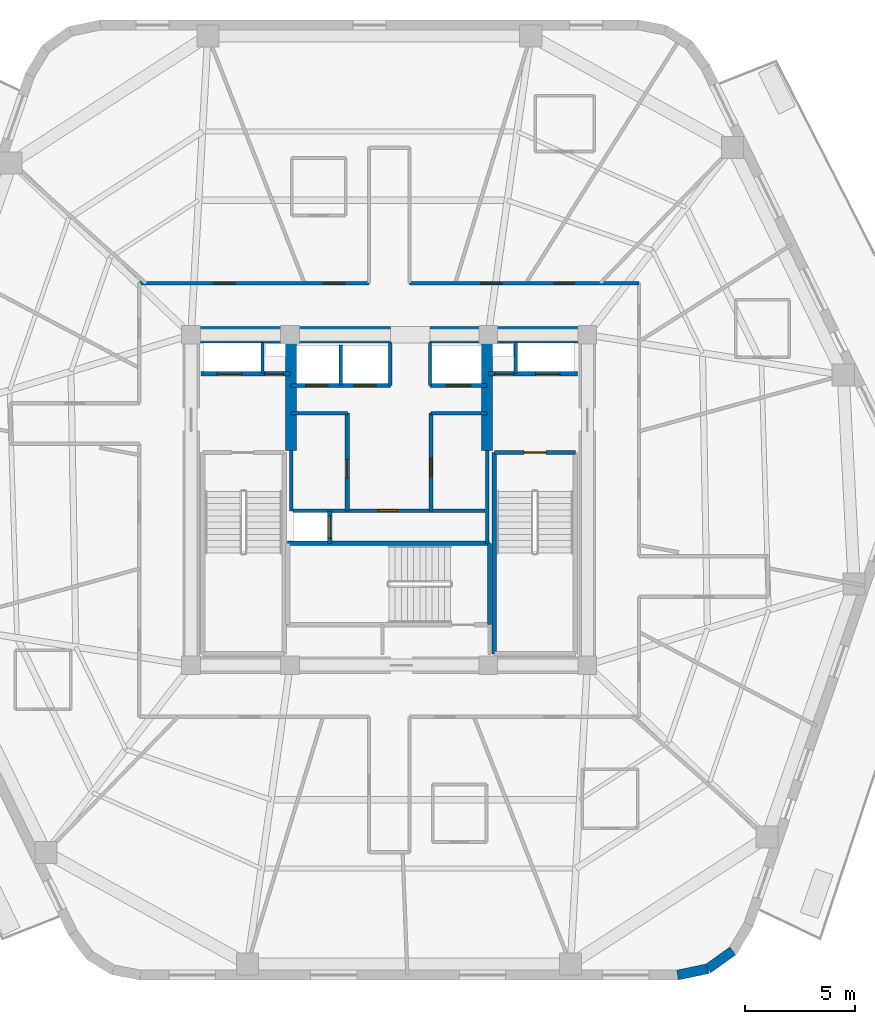
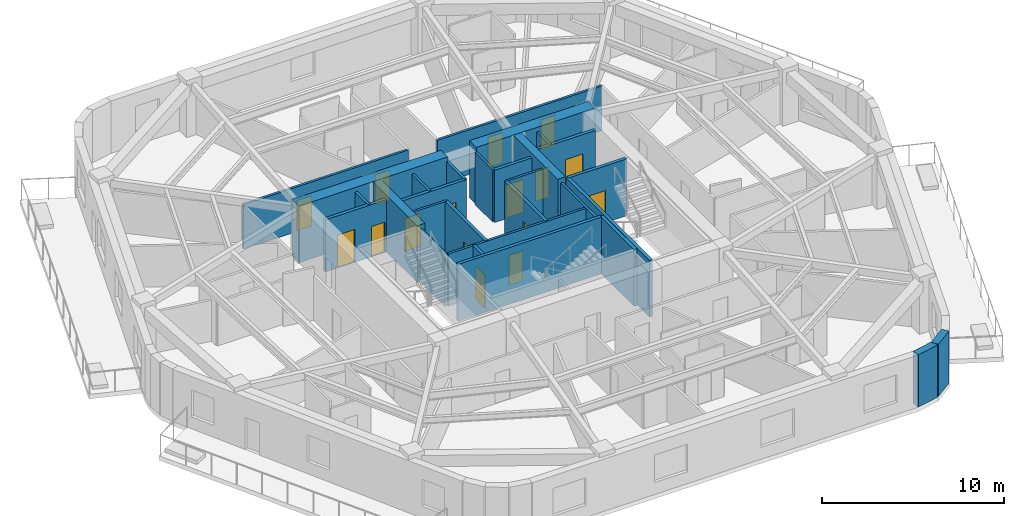
# One storey, part 4 of 9: 29 walls, 16 doors, 16 openings.
"""IFC4 building model written with IfcOpenShell, lengths in metres."""

from ifc_helpers import new_model, si_unit, direction, frame, frame_2d, origin, place, context, subcontext, project, spatial, rectangle, extrude, material, layer, layer_set, type_object, element, fill, save


model = new_model("IFC4")

# Units and contexts
model_context = context("Model", 3, precision=1e-05, world=origin(), true_north=direction((0.0, 1.0)))
body_context = subcontext(model_context, "Body", "Model", "MODEL_VIEW")
ifc_project = project(units=[si_unit("LENGTHUNIT", "METRE"), si_unit("AREAUNIT", "SQUARE_METRE"), si_unit("VOLUMEUNIT", "CUBIC_METRE"), si_unit("PLANEANGLEUNIT", "RADIAN"), si_unit("MASSUNIT", "GRAM", prefix="KILO")], contexts=[model_context])

# Site, building, storey
site_placement = place(None, origin())
site = spatial("IfcSite", under=ifc_project, at=site_placement, CompositionType="ELEMENT")
building_placement = place(site_placement, origin())
building = spatial("IfcBuilding", under=site, at=building_placement, Name="Kilnhurst Terrace Hotel", CompositionType="ELEMENT")
storey_placement = place(building_placement, frame((0.0, 0.0, 236.89990234375)))
storey = spatial("IfcBuildingStorey", under=building, at=storey_placement, Name="L59", CompositionType="ELEMENT", Elevation=236.89990234375)

# Walls
ifc_material_1 = material(Name="Precast concrete C40/50", Category="concrete")
ifc_layer_1 = layer(ifc_material_1, 0.449951171875, Name="Precast concrete C40/50")
ifc_layer_set_1 = layer_set([ifc_layer_1], Name="Precast concrete C40/50")
wall_type_1 = type_object("IfcWallType", Name="WL-BRK-450", PredefinedType="SOLIDWALL", material=ifc_layer_set_1)
wall_1_placement = place(storey_placement, frame((13.1015625, -21.574951171875, 0.0), z_axis=(0.0, 0.0, 1.0), x_axis=(0.978757421505, 0.205021730188, 0.0)))
element("IfcWall", 1, at=wall_1_placement, inside=storey, type_object=wall_type_1, Name="L59 Rounded Corner Brick Wall C2.1", PredefinedType="SOLIDWALL", context=body_context, shape_type="SweptSolid", body=[
    extrude(rectangle(XDim=1.40625, YDim=0.449951171875, at=frame_2d((0.703125, 0.0))), origin(), (0.0, 0.0, 1.0), 3.5),
])
wall_2_placement = place(storey_placement, frame((14.47802734375, -21.28662109375, 0.0), z_axis=(0.0, 0.0, 1.0), x_axis=(0.813888518617, 0.58102106611, 0.0)))
element("IfcWall", 2, at=wall_2_placement, inside=storey, type_object=wall_type_1, Name="L59 Rounded Corner Brick Wall C2.2", PredefinedType="SOLIDWALL", context=body_context, shape_type="SweptSolid", body=[
    extrude(rectangle(XDim=1.3828125, YDim=0.449951171875, at=frame_2d((0.69140625, 0.0))), origin(), (0.0, 0.0, 1.0), 3.5),
])

# Wall, openings, doors
ifc_material_2 = material(Name="Acoustic Double-Gypsum Corridor Partition Assembly")
ifc_layer_2 = layer(ifc_material_2, 0.14990234375, Name="Acoustic Double-Gypsum Corridor Partition Assembly")
ifc_layer_set_2 = layer_set([ifc_layer_2], Name="Acoustic Double-Gypsum Corridor Partition Assembly")
wall_type_2 = type_object("IfcWallType", Name="WL-COR-150", PredefinedType="PARTITIONING", material=ifc_layer_set_2)
wall_3_placement = place(storey_placement, frame((-11.35009765625, 9.85009765625, 0.0), z_axis=(0.0, 0.0, 1.0), x_axis=(1.0, 0.0, 0.0)))
wall_3 = element("IfcWall", 3, at=wall_3_placement, inside=storey, type_object=wall_type_2, Name="L59 Interior Wall WL-L59-COR-06", PredefinedType="PARTITIONING", context=body_context, shape_type="SweptSolid", body=[
    extrude(rectangle(XDim=10.43017578125, YDim=0.14990234375, at=frame_2d((5.215087890625, 0.0))), origin(), (0.0, 0.0, 1.0), 2.989990234375),
])
opening_1_placement = place(wall_3_placement, frame((8.362060546875, 0.0, 0.0)))
opening_1 = element("IfcOpeningElement", 4, at=opening_1_placement, cuts=wall_3, Name="Opening D-60B", PredefinedType="OPENING", context=body_context, shape_type="SweptSolid", body=[
    extrude(rectangle(XDim=0.949951171875, YDim=2.030029296875, at=frame_2d((0.47509765625, 1.01513671875))), frame((0.0, 0.0849609375, 0.0), z_axis=(0.0, -1.0, 0.0), x_axis=(1.0, 0.0, 0.0)), (0.0, 0.0, 1.0), 0.169921875),
])
opening_2_placement = place(wall_3_placement, frame((3.39599609375, 0.0, 0.0)))
opening_2 = element("IfcOpeningElement", 5, at=opening_2_placement, cuts=wall_3, Name="Opening D-60B", PredefinedType="OPENING", context=body_context, shape_type="SweptSolid", body=[
    extrude(rectangle(XDim=0.949951171875, YDim=2.030029296875, at=frame_2d((0.47509765625, 1.01513671875))), frame((0.0, 0.0849609375, 0.0), z_axis=(0.0, -1.0, 0.0), x_axis=(1.0, 0.0, 0.0)), (0.0, 0.0, 1.0), 0.169921875),
])
ifc_material_3 = material(Name="Acoustic Walnut Veneer Solid-Core Fire Door")
door_type_1 = type_object("IfcDoorType", Name="DR-FD60-950", OperationType="NOTDEFINED", PredefinedType="DOOR", material=ifc_material_3)
door_1_placement = place(opening_1_placement, origin())
door_1 = element("IfcDoor", 6, at=door_1_placement, inside=storey, type_object=door_type_1, Name="L59 Executive Suite Entry Door 5", OperationType="SINGLE_SWING_LEFT", OverallHeight=2.030029296875, OverallWidth=0.949951171875, PredefinedType="DOOR", context=body_context, shape_type="SweptSolid", body=[
    extrude(rectangle(XDim=0.949951171875, YDim=2.030029296875, at=frame_2d((0.47509765625, 1.01513671875))), frame((0.0, 0.02490234375, 0.0), z_axis=(0.0, -1.0, 0.0), x_axis=(1.0, 0.0, 0.0)), (0.0, 0.0, 1.0), 0.050048828125),
])
fill(opening_1, door_1)
door_2_placement = place(opening_2_placement, origin())
door_2 = element("IfcDoor", 7, at=door_2_placement, inside=storey, type_object=door_type_1, Name="L59 Club Lounge Door", OperationType="SINGLE_SWING_RIGHT", OverallHeight=2.030029296875, OverallWidth=0.949951171875, PredefinedType="DOOR", context=body_context, shape_type="SweptSolid", body=[
    extrude(rectangle(XDim=0.949951171875, YDim=2.030029296875, at=frame_2d((0.47509765625, 1.01513671875))), frame((0.0, 0.02490234375, 0.0), z_axis=(0.0, -1.0, 0.0), x_axis=(1.0, 0.0, 0.0)), (0.0, 0.0, 1.0), 0.050048828125),
])
fill(opening_2, door_2)

wall_4_placement = place(storey_placement, frame((0.919921875, 9.85009765625, 0.0), z_axis=(0.0, 0.0, 1.0), x_axis=(1.0, 0.0, 0.0)))
wall_4 = element("IfcWall", 8, at=wall_4_placement, inside=storey, type_object=wall_type_2, Name="L59 Interior Wall WL-L59-COR-10", PredefinedType="PARTITIONING", context=body_context, shape_type="SweptSolid", body=[
    extrude(rectangle(XDim=10.43017578125, YDim=0.14990234375, at=frame_2d((5.215087890625, 0.0))), origin(), (0.0, 0.0, 1.0), 2.989990234375),
])
opening_3_placement = place(wall_4_placement, frame((6.576904296875, 0.0, 0.0)))
opening_3 = element("IfcOpeningElement", 9, at=opening_3_placement, cuts=wall_4, Name="Opening D-60C", PredefinedType="OPENING", context=body_context, shape_type="SweptSolid", body=[
    extrude(rectangle(XDim=0.89990234375, YDim=2.030029296875, at=frame_2d((0.449951171875, 1.01513671875))), frame((0.0, 0.0849609375, 0.0), z_axis=(0.0, -1.0, 0.0), x_axis=(1.0, 0.0, 0.0)), (0.0, 0.0, 1.0), 0.169921875),
])
opening_4_placement = place(wall_4_placement, frame((3.23388671875, 0.0, 0.0)))
opening_4 = element("IfcOpeningElement", 10, at=opening_4_placement, cuts=wall_4, Name="Opening D-60B", PredefinedType="OPENING", context=body_context, shape_type="SweptSolid", body=[
    extrude(rectangle(XDim=0.949951171875, YDim=2.030029296875, at=frame_2d((0.47509765625, 1.01513671875))), frame((0.0, 0.0849609375, 0.0), z_axis=(0.0, -1.0, 0.0), x_axis=(1.0, 0.0, 0.0)), (0.0, 0.0, 1.0), 0.169921875),
])
ifc_material_4 = material(Name="Painted Solid-Core Service Fire Door")
door_type_2 = type_object("IfcDoorType", Name="DR-FD60-900", OperationType="NOTDEFINED", PredefinedType="DOOR", material=ifc_material_4)
door_3_placement = place(opening_3_placement, origin())
door_3 = element("IfcDoor", 11, at=door_3_placement, inside=storey, type_object=door_type_2, Name="L59 Executive Work Office Door 3", OperationType="SINGLE_SWING_LEFT", OverallHeight=2.030029296875, OverallWidth=0.89990234375, PredefinedType="DOOR", context=body_context, shape_type="SweptSolid", body=[
    extrude(rectangle(XDim=0.89990234375, YDim=2.030029296875, at=frame_2d((0.449951171875, 1.01513671875))), frame((0.0, 0.02490234375, 0.0), z_axis=(0.0, -1.0, 0.0), x_axis=(1.0, 0.0, 0.0)), (0.0, 0.0, 1.0), 0.050048828125),
])
fill(opening_3, door_3)
door_4_placement = place(opening_4_placement, origin())
door_4 = element("IfcDoor", 12, at=door_4_placement, inside=storey, type_object=door_type_1, Name="L59 Guest Room Entry Door 4", OperationType="SINGLE_SWING_RIGHT", OverallHeight=2.030029296875, OverallWidth=0.949951171875, PredefinedType="DOOR", context=body_context, shape_type="SweptSolid", body=[
    extrude(rectangle(XDim=0.949951171875, YDim=2.030029296875, at=frame_2d((0.47509765625, 1.01513671875))), frame((0.0, 0.02490234375, 0.0), z_axis=(0.0, -1.0, 0.0), x_axis=(1.0, 0.0, 0.0)), (0.0, 0.0, 1.0), 0.050048828125),
])
fill(opening_4, door_4)

# Walls
ifc_material_5 = material(Name="Concrete C60/75", Category="concrete")
ifc_layer_3 = layer(ifc_material_5, 0.75, Name="Concrete C60/75")
ifc_layer_set_3 = layer_set([ifc_layer_3], Name="Concrete C60/75")
wall_type_3 = type_object("IfcWallType", Name="WL-CORE-750", PredefinedType="SHEAR", material=ifc_layer_set_3)
wall_5_placement = place(storey_placement, frame((-9.375, 7.5, 0.0), z_axis=(0.0, 0.0, 1.0), x_axis=(1.0, 0.0, 0.0)))
element("IfcWall", 13, at=wall_5_placement, inside=storey, type_object=wall_type_3, Name="L59 Core North West Shear Wall", PredefinedType="SHEAR", context=body_context, shape_type="SweptSolid", body=[
    extrude(rectangle(XDim=9.425048828125, YDim=0.75, at=frame_2d((4.71240234375, 0.0))), origin(), (0.0, 0.0, 1.0), 3.800048828125),
])
wall_6_placement = place(storey_placement, frame((1.85009765625, 7.5, 0.0), z_axis=(0.0, 0.0, 1.0), x_axis=(1.0, 0.0, 0.0)))
element("IfcWall", 14, at=wall_6_placement, inside=storey, type_object=wall_type_3, Name="L59 Core North East Shear Wall", PredefinedType="SHEAR", context=body_context, shape_type="SweptSolid", body=[
    extrude(rectangle(XDim=7.52490234375, YDim=0.75, at=frame_2d((3.762451171875, 0.0))), origin(), (0.0, 0.0, 1.0), 3.800048828125),
])
ifc_layer_4 = layer(ifc_material_5, 0.5, Name="Concrete C60/75")
ifc_layer_set_4 = layer_set([ifc_layer_4], Name="Concrete C60/75")
wall_type_4 = type_object("IfcWallType", Name="WL-CORE-WEB-500", PredefinedType="SHEAR", material=ifc_layer_set_4)
for number, where, z_axis, x_axis, name in (
    (15, (-4.449951171875, 2.25, 0.0), (0.0, 0.0, 1.0), (0.0, 1.0, 0.0), "L59 Core Internal West Shear Web"),
    (16, (4.449951171875, 2.25, 0.0), (0.0, 0.0, 1.0), (0.0, 1.0, 0.0), "L59 Core Internal East Shear Web"),
):
    element("IfcWall", number, at=place(storey_placement, frame(where, z_axis=z_axis, x_axis=x_axis)), inside=storey, type_object=wall_type_4, Name=name, PredefinedType="SHEAR", context=body_context, shape_type="SweptSolid", body=[
        extrude(rectangle(XDim=4.875, YDim=0.5, at=frame_2d((2.4375, 0.0))), origin(), (0.0, 0.0, 1.0), 3.800048828125),
    ])
ifc_material_6 = material(Name="Fire-Rated Gypsum Shaftliner Assembly")
ifc_layer_5 = layer(ifc_material_6, 0.14990234375, Name="Fire-Rated Gypsum Shaftliner Assembly")
ifc_layer_set_5 = layer_set([ifc_layer_5], Name="Fire-Rated Gypsum Shaftliner Assembly")
wall_type_5 = type_object("IfcWallType", Name="WL-SHAFT-150", PredefinedType="PARTITIONING", material=ifc_layer_set_5)
for number, where, z_axis, x_axis, name in (
    (17, (-5.75, 5.739990234375, 0.0), (0.0, 0.0, 1.0), (0.0, 1.0, 0.0), "L59 Interior Wall WL-L59-RIS1-DIV"),
    (18, (5.75, 5.739990234375, 0.0), (0.0, 0.0, 1.0), (0.0, 1.0, 0.0), "L59 Interior Wall WL-L59-RIS2-DIV"),
):
    element("IfcWall", number, at=place(storey_placement, frame(where, z_axis=z_axis, x_axis=x_axis)), inside=storey, type_object=wall_type_5, Name=name, PredefinedType="PARTITIONING", context=body_context, shape_type="SweptSolid", body=[
        extrude(rectangle(XDim=1.409912109375, YDim=0.14990234375, at=frame_2d((0.705078125, 0.0))), origin(), (0.0, 0.0, 1.0), 3.5),
    ])
wall_7_placement = place(storey_placement, frame((-2.199951171875, 5.199951171875, 0.0), z_axis=(0.0, 0.0, 1.0), x_axis=(0.0, 1.0, 0.0)))
element("IfcWall", 19, at=wall_7_placement, inside=storey, type_object=wall_type_5, Name="L59 Interior Wall WL-L59-HR-DIV1", PredefinedType="PARTITIONING", context=body_context, shape_type="SweptSolid", body=[
    extrude(rectangle(XDim=1.85009765625, YDim=0.14990234375, at=frame_2d((0.925048828125, 0.0))), origin(), (0.0, 0.0, 1.0), 3.5),
])
for number, where, z_axis, x_axis, name in (
    (20, (0.050048828125, 5.199951171875, 0.0), (0.0, 0.0, 1.0), (0.0, 1.0, 0.0), "L59 Interior Wall WL-L59-HR-PORTAL-W"),
    (21, (1.85009765625, 5.199951171875, 0.0), (0.0, 0.0, 1.0), (0.0, 1.0, 0.0), "L59 Interior Wall WL-L59-HR-PORTAL-E"),
):
    element("IfcWall", number, at=place(storey_placement, frame(where, z_axis=z_axis, x_axis=x_axis)), inside=storey, type_object=wall_type_5, Name=name, PredefinedType="PARTITIONING", context=body_context, shape_type="SweptSolid", body=[
        extrude(rectangle(XDim=1.949951171875, YDim=0.14990234375, at=frame_2d((0.97509765625, 0.0))), origin(), (0.0, 0.0, 1.0), 3.5),
    ])
wall_8_placement = place(storey_placement, frame((-4.449951171875, -0.5, 0.0), z_axis=(0.0, 0.0, 1.0), x_axis=(0.0, 1.0, 0.0)))
element("IfcWall", 22, at=wall_8_placement, inside=storey, type_object=wall_type_5, Name="L59 Interior Wall WL-L59-XLOB-W", PredefinedType="PARTITIONING", context=body_context, shape_type="SweptSolid", body=[
    extrude(rectangle(XDim=2.75, YDim=0.14990234375, at=frame_2d((1.375, 0.0))), origin(), (0.0, 0.0, 1.0), 3.5),
])
wall_9_placement = place(storey_placement, frame((4.449951171875, -1.971923828125, 0.0), z_axis=(0.0, 0.0, 1.0), x_axis=(0.0, 1.0, 0.0)))
element("IfcWall", 23, at=wall_9_placement, inside=storey, type_object=wall_type_5, Name="L59 Interior Wall WL-L59-XLOB-E", PredefinedType="PARTITIONING", context=body_context, shape_type="SweptSolid", body=[
    extrude(rectangle(XDim=4.221923828125, YDim=0.14990234375, at=frame_2d((2.11083984375, 0.0))), origin(), (0.0, 0.0, 1.0), 3.5),
])
for number, where, z_axis, x_axis, name in (
    (24, (-4.449951171875, 3.93994140625, 0.0), (0.0, 0.0, 1.0), (1.0, 0.0, 0.0), "L59 Interior Wall WL-L59-LR-NORTH"),
    (25, (1.89990234375, 3.93994140625, 0.0), (0.0, 0.0, 1.0), (1.0, 0.0, 0.0), "L59 Interior Wall WL-L59-MR-NORTH"),
):
    element("IfcWall", number, at=place(storey_placement, frame(where, z_axis=z_axis, x_axis=x_axis)), inside=storey, type_object=wall_type_5, Name=name, PredefinedType="PARTITIONING", context=body_context, shape_type="SweptSolid", body=[
        extrude(rectangle(XDim=2.550048828125, YDim=0.14990234375, at=frame_2d((1.27490234375, 0.0))), origin(), (0.0, 0.0, 1.0), 3.5),
    ])

# Wall, opening, door
wall_10_placement = place(storey_placement, frame((-4.360107421875, -0.489990234375, 0.0), z_axis=(0.0, 0.0, 1.0), x_axis=(1.0, 0.0, 0.0)))
wall_10 = element("IfcWall", 26, at=wall_10_placement, inside=storey, type_object=wall_type_5, Name="L59 Interior Wall WL-L59-BOH-N", PredefinedType="PARTITIONING", context=body_context, shape_type="SweptSolid", body=[
    extrude(rectangle(XDim=8.72021484375, YDim=0.14990234375, at=frame_2d((4.360107421875, 0.0))), origin(), (0.0, 0.0, 1.0), 3.5),
])
opening_5_placement = place(wall_10_placement, frame((3.860107421875, 0.0, 0.0)))
opening_5 = element("IfcOpeningElement", 27, at=opening_5_placement, cuts=wall_10, Name="Opening D-60C", PredefinedType="OPENING", context=body_context, shape_type="SweptSolid", body=[
    extrude(rectangle(XDim=0.89990234375, YDim=2.030029296875, at=frame_2d((0.449951171875, 1.01513671875))), frame((0.0, 0.0849609375, 0.0), z_axis=(0.0, -1.0, 0.0), x_axis=(1.0, 0.0, 0.0)), (0.0, 0.0, 1.0), 0.169921875),
])
door_5_placement = place(opening_5_placement, origin())
door_5 = element("IfcDoor", 28, at=door_5_placement, inside=storey, type_object=door_type_2, Name="L59 Housekeeping Laundry Door", OperationType="SINGLE_SWING_LEFT", OverallHeight=2.030029296875, OverallWidth=0.89990234375, PredefinedType="DOOR", context=body_context, shape_type="SweptSolid", body=[
    extrude(rectangle(XDim=0.89990234375, YDim=2.030029296875, at=frame_2d((0.449951171875, 1.01513671875))), frame((0.0, 0.02490234375, 0.0), z_axis=(0.0, -1.0, 0.0), x_axis=(1.0, 0.0, 0.0)), (0.0, 0.0, 1.0), 0.050048828125),
])
fill(opening_5, door_5)

# Wall, openings, doors
ifc_material_7 = material(Name="Autoclaved Aerated Concrete C30/37 and Gypsum Shaft Assembly", Category="concrete")
ifc_layer_6 = layer(ifc_material_7, 0.199951171875, Name="Autoclaved Aerated Concrete C30/37 and Gypsum Shaft Assembly")
ifc_layer_set_6 = layer_set([ifc_layer_6], Name="Autoclaved Aerated Concrete C30/37 and Gypsum Shaft Assembly")
wall_type_6 = type_object("IfcWallType", Name="WL-SHAFT-200", PredefinedType="PARTITIONING", material=ifc_layer_set_6)
wall_11_placement = place(storey_placement, frame((-8.550048828125, 5.739990234375, 0.0), z_axis=(0.0, 0.0, 1.0), x_axis=(1.0, 0.0, 0.0)))
wall_11 = element("IfcWall", 29, at=wall_11_placement, inside=storey, type_object=wall_type_6, Name="L59 Interior Wall WL-L59-FSAE1-S", PredefinedType="PARTITIONING", context=body_context, shape_type="SweptSolid", body=[
    extrude(rectangle(XDim=4.050048828125, YDim=0.199951171875, at=frame_2d((2.02490234375, 0.0))), origin(), (0.0, 0.0, 1.0), 3.5),
])
opening_6_placement = place(wall_11_placement, frame((0.75, 0.0, 0.0)))
opening_6 = element("IfcOpeningElement", 30, at=opening_6_placement, cuts=wall_11, Name="Opening LD-F1", PredefinedType="OPENING", context=body_context, shape_type="SweptSolid", body=[
    extrude(rectangle(XDim=1.10009765625, YDim=2.199951171875, at=frame_2d((0.550048828125, 1.10009765625))), frame((0.0, 0.10986328125, 0.0), z_axis=(0.0, -1.0, 0.0), x_axis=(1.0, 0.0, 0.0)), (0.0, 0.0, 1.0), 0.219970703125),
])
opening_7_placement = place(wall_11_placement, frame((2.89990234375, 0.0, 0.0)))
opening_7 = element("IfcOpeningElement", 31, at=opening_7_placement, cuts=wall_11, Name="Opening D-60D", PredefinedType="OPENING", context=body_context, shape_type="SweptSolid", body=[
    extrude(rectangle(XDim=0.85009765625, YDim=2.030029296875, at=frame_2d((0.425048828125, 1.01513671875))), frame((0.0, 0.10986328125, 0.0), z_axis=(0.0, -1.0, 0.0), x_axis=(1.0, 0.0, 0.0)), (0.0, 0.0, 1.0), 0.219970703125),
])
ifc_material_8 = material(Name="Painted Hollow Metal Steel ASTM A36 Riser Door", Category="steel")
door_type_3 = type_object("IfcDoorType", Name="DR-FD60-850", OperationType="NOTDEFINED", PredefinedType="DOOR", material=ifc_material_8)
door_6_placement = place(opening_7_placement, origin())
door_6 = element("IfcDoor", 32, at=door_6_placement, inside=storey, type_object=door_type_3, Name="L59 Electrical Riser Door", OperationType="SINGLE_SWING_LEFT", OverallHeight=2.030029296875, OverallWidth=0.85009765625, PredefinedType="DOOR", context=body_context, shape_type="SweptSolid", body=[
    extrude(rectangle(XDim=0.85009765625, YDim=2.030029296875, at=frame_2d((0.425048828125, 1.01513671875))), frame((0.0, 0.02490234375, 0.0), z_axis=(0.0, -1.0, 0.0), x_axis=(1.0, 0.0, 0.0)), (0.0, 0.0, 1.0), 0.050048828125),
])
fill(opening_7, door_6)
ifc_material_9 = material(Name="Bronze-Anodized Stainless Steel AISI 316L Sliding Door", Category="steel")
door_type_4 = type_object("IfcDoorType", Name="DR-LIFT-1100", OperationType="NOTDEFINED", PredefinedType="DOOR", material=ifc_material_9)
door_7_placement = place(opening_6_placement, origin())
door_7 = element("IfcDoor", 33, at=door_7_placement, inside=storey, type_object=door_type_4, Name="L59 FSAE-1 Landing Door", OperationType="SLIDING_TO_LEFT", OverallHeight=2.199951171875, OverallWidth=1.10009765625, PredefinedType="DOOR", context=body_context, shape_type="SweptSolid", body=[
    extrude(rectangle(XDim=1.10009765625, YDim=2.199951171875, at=frame_2d((0.550048828125, 1.10009765625))), frame((0.0, 0.02490234375, 0.0), z_axis=(0.0, -1.0, 0.0), x_axis=(1.0, 0.0, 0.0)), (0.0, 0.0, 1.0), 0.050048828125),
])
fill(opening_6, door_7)

wall_12_placement = place(storey_placement, frame((4.5, 5.739990234375, 0.0), z_axis=(0.0, 0.0, 1.0), x_axis=(1.0, 0.0, 0.0)))
wall_12 = element("IfcWall", 34, at=wall_12_placement, inside=storey, type_object=wall_type_6, Name="L59 Interior Wall WL-L59-FSAE2-S", PredefinedType="PARTITIONING", context=body_context, shape_type="SweptSolid", body=[
    extrude(rectangle(XDim=4.050048828125, YDim=0.199951171875, at=frame_2d((2.02490234375, 0.0))), origin(), (0.0, 0.0, 1.0), 3.5),
])
opening_8_placement = place(wall_12_placement, frame((0.300048828125, 0.0, 0.0)))
opening_8 = element("IfcOpeningElement", 35, at=opening_8_placement, cuts=wall_12, Name="Opening D-60D", PredefinedType="OPENING", context=body_context, shape_type="SweptSolid", body=[
    extrude(rectangle(XDim=0.85009765625, YDim=2.030029296875, at=frame_2d((0.425048828125, 1.01513671875))), frame((0.0, 0.10986328125, 0.0), z_axis=(0.0, -1.0, 0.0), x_axis=(1.0, 0.0, 0.0)), (0.0, 0.0, 1.0), 0.219970703125),
])
opening_9_placement = place(wall_12_placement, frame((2.14990234375, 0.0, 0.0)))
opening_9 = element("IfcOpeningElement", 36, at=opening_9_placement, cuts=wall_12, Name="Opening LD-F2", PredefinedType="OPENING", context=body_context, shape_type="SweptSolid", body=[
    extrude(rectangle(XDim=1.10009765625, YDim=2.199951171875, at=frame_2d((0.550048828125, 1.10009765625))), frame((0.0, 0.10986328125, 0.0), z_axis=(0.0, -1.0, 0.0), x_axis=(1.0, 0.0, 0.0)), (0.0, 0.0, 1.0), 0.219970703125),
])
door_8_placement = place(opening_8_placement, origin())
door_8 = element("IfcDoor", 37, at=door_8_placement, inside=storey, type_object=door_type_3, Name="L59 Telecom Riser Door", OperationType="SINGLE_SWING_RIGHT", OverallHeight=2.030029296875, OverallWidth=0.85009765625, PredefinedType="DOOR", context=body_context, shape_type="SweptSolid", body=[
    extrude(rectangle(XDim=0.85009765625, YDim=2.030029296875, at=frame_2d((0.425048828125, 1.01513671875))), frame((0.0, 0.02490234375, 0.0), z_axis=(0.0, -1.0, 0.0), x_axis=(1.0, 0.0, 0.0)), (0.0, 0.0, 1.0), 0.050048828125),
])
fill(opening_8, door_8)
door_9_placement = place(opening_9_placement, origin())
door_9 = element("IfcDoor", 38, at=door_9_placement, inside=storey, type_object=door_type_4, Name="L59 FSAE-2 Landing Door", OperationType="SLIDING_TO_RIGHT", OverallHeight=2.199951171875, OverallWidth=1.10009765625, PredefinedType="DOOR", context=body_context, shape_type="SweptSolid", body=[
    extrude(rectangle(XDim=1.10009765625, YDim=2.199951171875, at=frame_2d((0.550048828125, 1.10009765625))), frame((0.0, 0.02490234375, 0.0), z_axis=(0.0, -1.0, 0.0), x_axis=(1.0, 0.0, 0.0)), (0.0, 0.0, 1.0), 0.050048828125),
])
fill(opening_9, door_9)

# Wall, opening, door
wall_13_placement = place(storey_placement, frame((-2.699951171875, -1.971923828125, 0.0), z_axis=(0.0, 0.0, 1.0), x_axis=(0.0, 1.0, 0.0)))
wall_13 = element("IfcWall", 39, at=wall_13_placement, inside=storey, type_object=wall_type_6, Name="L59 Interior Wall WL-L59-SRV1-E", PredefinedType="PARTITIONING", context=body_context, shape_type="SweptSolid", body=[
    extrude(rectangle(XDim=1.471923828125, YDim=0.199951171875, at=frame_2d((0.73583984375, 0.0))), origin(), (0.0, 0.0, 1.0), 3.5),
])
opening_10_placement = place(wall_13_placement, frame((0.239990234375, 0.0, 0.0)))
opening_10 = element("IfcOpeningElement", 40, at=opening_10_placement, cuts=wall_13, Name="Opening LD-SV", PredefinedType="OPENING", context=body_context, shape_type="SweptSolid", body=[
    extrude(rectangle(XDim=1.0, YDim=2.199951171875, at=frame_2d((0.5, 1.10009765625))), frame((0.0, 0.10986328125, 0.0), z_axis=(0.0, -1.0, 0.0), x_axis=(1.0, 0.0, 0.0)), (0.0, 0.0, 1.0), 0.219970703125),
])
door_type_5 = type_object("IfcDoorType", Name="DR-LIFT-1000", OperationType="NOTDEFINED", PredefinedType="DOOR", material=ifc_material_9)
door_10_placement = place(opening_10_placement, origin())
door_10 = element("IfcDoor", 41, at=door_10_placement, inside=storey, type_object=door_type_5, Name="L59 Service Lift SRV-1 Landing Door", OperationType="SLIDING_TO_LEFT", OverallHeight=2.199951171875, OverallWidth=1.0, PredefinedType="DOOR", context=body_context, shape_type="SweptSolid", body=[
    extrude(rectangle(XDim=1.0, YDim=2.199951171875, at=frame_2d((0.5, 1.10009765625))), frame((0.0, 0.02490234375, 0.0), z_axis=(0.0, -1.0, 0.0), x_axis=(1.0, 0.0, 0.0)), (0.0, 0.0, 1.0), 0.050048828125),
])
fill(opening_10, door_10)

# Wall, openings, doors
wall_14_placement = place(storey_placement, frame((-4.449951171875, 5.199951171875, 0.0), z_axis=(0.0, 0.0, 1.0), x_axis=(1.0, 0.0, 0.0)))
wall_14 = element("IfcWall", 42, at=wall_14_placement, inside=storey, type_object=wall_type_6, Name="L59 Interior Wall WL-L59-HR-SW", PredefinedType="PARTITIONING", context=body_context, shape_type="SweptSolid", body=[
    extrude(rectangle(XDim=4.5, YDim=0.199951171875, at=frame_2d((2.25, 0.0))), origin(), (0.0, 0.0, 1.0), 3.5),
])
opening_11_placement = place(wall_14_placement, frame((0.64990234375, 0.0, 0.0)))
opening_11 = element("IfcOpeningElement", 43, at=opening_11_placement, cuts=wall_14, Name="Opening LD-HR", PredefinedType="OPENING", context=body_context, shape_type="SweptSolid", body=[
    extrude(rectangle(XDim=1.0, YDim=2.199951171875, at=frame_2d((0.5, 1.10009765625))), frame((0.0, 0.10986328125, 0.0), z_axis=(0.0, -1.0, 0.0), x_axis=(1.0, 0.0, 0.0)), (0.0, 0.0, 1.0), 0.219970703125),
])
opening_12_placement = place(wall_14_placement, frame((2.85009765625, 0.0, 0.0)))
opening_12 = element("IfcOpeningElement", 44, at=opening_12_placement, cuts=wall_14, Name="Opening LD-HS", PredefinedType="OPENING", context=body_context, shape_type="SweptSolid", body=[
    extrude(rectangle(XDim=1.0, YDim=2.199951171875, at=frame_2d((0.5, 1.10009765625))), frame((0.0, 0.10986328125, 0.0), z_axis=(0.0, -1.0, 0.0), x_axis=(1.0, 0.0, 0.0)), (0.0, 0.0, 1.0), 0.219970703125),
])
door_11_placement = place(opening_11_placement, origin())
door_11 = element("IfcDoor", 45, at=door_11_placement, inside=storey, type_object=door_type_5, Name="L59 High Rise Lift HR-1 Landing Door", OperationType="SLIDING_TO_LEFT", OverallHeight=2.199951171875, OverallWidth=1.0, PredefinedType="DOOR", context=body_context, shape_type="SweptSolid", body=[
    extrude(rectangle(XDim=1.0, YDim=2.199951171875, at=frame_2d((0.5, 1.10009765625))), frame((0.0, 0.02490234375, 0.0), z_axis=(0.0, -1.0, 0.0), x_axis=(1.0, 0.0, 0.0)), (0.0, 0.0, 1.0), 0.050048828125),
])
fill(opening_11, door_11)
door_12_placement = place(opening_12_placement, origin())
door_12 = element("IfcDoor", 46, at=door_12_placement, inside=storey, type_object=door_type_5, Name="L59 High Rise Lift HR-3 Landing Door", OperationType="SLIDING_TO_RIGHT", OverallHeight=2.199951171875, OverallWidth=1.0, PredefinedType="DOOR", context=body_context, shape_type="SweptSolid", body=[
    extrude(rectangle(XDim=1.0, YDim=2.199951171875, at=frame_2d((0.5, 1.10009765625))), frame((0.0, 0.02490234375, 0.0), z_axis=(0.0, -1.0, 0.0), x_axis=(1.0, 0.0, 0.0)), (0.0, 0.0, 1.0), 0.050048828125),
])
fill(opening_12, door_12)

# Wall, opening, door
wall_15_placement = place(storey_placement, frame((1.85009765625, 5.199951171875, 0.0), z_axis=(0.0, 0.0, 1.0), x_axis=(1.0, 0.0, 0.0)))
wall_15 = element("IfcWall", 47, at=wall_15_placement, inside=storey, type_object=wall_type_6, Name="L59 Interior Wall WL-L59-HR-SE", PredefinedType="PARTITIONING", context=body_context, shape_type="SweptSolid", body=[
    extrude(rectangle(XDim=2.599853515625, YDim=0.199951171875, at=frame_2d((1.2998046875, 0.0))), origin(), (0.0, 0.0, 1.0), 3.5),
])
opening_13_placement = place(wall_15_placement, frame((0.75, 0.0, 0.0)))
opening_13 = element("IfcOpeningElement", 48, at=opening_13_placement, cuts=wall_15, Name="Opening LD-H2", PredefinedType="OPENING", context=body_context, shape_type="SweptSolid", body=[
    extrude(rectangle(XDim=1.10009765625, YDim=2.199951171875, at=frame_2d((0.550048828125, 1.10009765625))), frame((0.0, 0.10986328125, 0.0), z_axis=(0.0, -1.0, 0.0), x_axis=(1.0, 0.0, 0.0)), (0.0, 0.0, 1.0), 0.219970703125),
])
door_13_placement = place(opening_13_placement, origin())
door_13 = element("IfcDoor", 49, at=door_13_placement, inside=storey, type_object=door_type_4, Name="L59 High Rise Lift HR-2 Landing Door", OperationType="SLIDING_TO_RIGHT", OverallHeight=2.199951171875, OverallWidth=1.10009765625, PredefinedType="DOOR", context=body_context, shape_type="SweptSolid", body=[
    extrude(rectangle(XDim=1.10009765625, YDim=2.199951171875, at=frame_2d((0.550048828125, 1.10009765625))), frame((0.0, 0.02490234375, 0.0), z_axis=(0.0, -1.0, 0.0), x_axis=(1.0, 0.0, 0.0)), (0.0, 0.0, 1.0), 0.050048828125),
])
fill(opening_13, door_13)

wall_16_placement = place(storey_placement, frame((-1.89990234375, -0.5, 0.0), z_axis=(0.0, 0.0, 1.0), x_axis=(0.0, 1.0, 0.0)))
wall_16 = element("IfcWall", 50, at=wall_16_placement, inside=storey, type_object=wall_type_6, Name="L59 Interior Wall WL-L59-LR-FRONT", PredefinedType="PARTITIONING", context=body_context, shape_type="SweptSolid", body=[
    extrude(rectangle(XDim=4.43994140625, YDim=0.199951171875, at=frame_2d((2.219970703125, 0.0))), origin(), (0.0, 0.0, 1.0), 3.5),
])
opening_14_placement = place(wall_16_placement, frame((1.5, 0.0, 0.0)))
opening_14 = element("IfcOpeningElement", 51, at=opening_14_placement, cuts=wall_16, Name="Opening D-60D", PredefinedType="OPENING", context=body_context, shape_type="SweptSolid", body=[
    extrude(rectangle(XDim=0.85009765625, YDim=2.030029296875, at=frame_2d((0.425048828125, 1.01513671875))), frame((0.0, 0.10986328125, 0.0), z_axis=(0.0, -1.0, 0.0), x_axis=(1.0, 0.0, 0.0)), (0.0, 0.0, 1.0), 0.219970703125),
])
door_14_placement = place(opening_14_placement, origin())
door_14 = element("IfcDoor", 52, at=door_14_placement, inside=storey, type_object=door_type_3, Name="L59 Reclaimed Linen Room Door", OperationType="SINGLE_SWING_LEFT", OverallHeight=2.030029296875, OverallWidth=0.85009765625, PredefinedType="DOOR", context=body_context, shape_type="SweptSolid", body=[
    extrude(rectangle(XDim=0.85009765625, YDim=2.030029296875, at=frame_2d((0.425048828125, 1.01513671875))), frame((0.0, 0.02490234375, 0.0), z_axis=(0.0, -1.0, 0.0), x_axis=(1.0, 0.0, 0.0)), (0.0, 0.0, 1.0), 0.050048828125),
])
fill(opening_14, door_14)

wall_17_placement = place(storey_placement, frame((1.89990234375, -0.5, 0.0), z_axis=(0.0, 0.0, 1.0), x_axis=(0.0, 1.0, 0.0)))
wall_17 = element("IfcWall", 53, at=wall_17_placement, inside=storey, type_object=wall_type_6, Name="L59 Interior Wall WL-L59-MR-FRONT", PredefinedType="PARTITIONING", context=body_context, shape_type="SweptSolid", body=[
    extrude(rectangle(XDim=4.43994140625, YDim=0.199951171875, at=frame_2d((2.219970703125, 0.0))), origin(), (0.0, 0.0, 1.0), 3.5),
])
opening_15_placement = place(wall_17_placement, frame((1.550048828125, 0.0, 0.0)))
opening_15 = element("IfcOpeningElement", 54, at=opening_15_placement, cuts=wall_17, Name="Opening D-60D", PredefinedType="OPENING", context=body_context, shape_type="SweptSolid", body=[
    extrude(rectangle(XDim=0.85009765625, YDim=2.030029296875, at=frame_2d((0.425048828125, 1.01513671875))), frame((0.0, 0.10986328125, 0.0), z_axis=(0.0, -1.0, 0.0), x_axis=(1.0, 0.0, 0.0)), (0.0, 0.0, 1.0), 0.219970703125),
])
door_15_placement = place(opening_15_placement, origin())
door_15 = element("IfcDoor", 55, at=door_15_placement, inside=storey, type_object=door_type_3, Name="L59 Staff Accessible Restroom Door", OperationType="SINGLE_SWING_RIGHT", OverallHeight=2.030029296875, OverallWidth=0.85009765625, PredefinedType="DOOR", context=body_context, shape_type="SweptSolid", body=[
    extrude(rectangle(XDim=0.85009765625, YDim=2.030029296875, at=frame_2d((0.425048828125, 1.01513671875))), frame((0.0, 0.02490234375, 0.0), z_axis=(0.0, -1.0, 0.0), x_axis=(1.0, 0.0, 0.0)), (0.0, 0.0, 1.0), 0.050048828125),
])
fill(opening_15, door_15)

# Wall
ifc_material_10 = material(Name="Concrete C50/60", Category="concrete")
ifc_layer_7 = layer(ifc_material_10, 0.199951171875, Name="Concrete C50/60")
ifc_layer_set_7 = layer_set([ifc_layer_7], Name="Concrete C50/60")
wall_type_7 = type_object("IfcWallType", Name="WL-STAIR-RC-200", PredefinedType="SHEAR", material=ifc_layer_set_7)
wall_18_placement = place(storey_placement, frame((4.77197265625, -6.985107421875, 0.0), z_axis=(0.0, 0.0, 1.0), x_axis=(0.0, 1.0, 0.0)))
element("IfcWall", 56, at=wall_18_placement, inside=storey, type_object=wall_type_7, Name="L59 Structural Stair Shaft Wall WL-L59-ST2-W", PredefinedType="SHEAR", context=body_context, shape_type="SweptSolid", body=[
    extrude(rectangle(XDim=9.14306640625, YDim=0.199951171875, at=frame_2d((4.571533203125, 0.0))), origin(), (0.0, 0.0, 1.0), 3.800048828125),
])

# Wall, opening, door
wall_19_placement = place(storey_placement, frame((4.77197265625, 2.157958984375, 0.0), z_axis=(0.0, 0.0, 1.0), x_axis=(1.0, 0.0, 0.0)))
wall_19 = element("IfcWall", 57, at=wall_19_placement, inside=storey, type_object=wall_type_7, Name="L59 Structural Stair Shaft Wall WL-L59-ST2-N", PredefinedType="SHEAR", context=body_context, shape_type="SweptSolid", body=[
    extrude(rectangle(XDim=3.68603515625, YDim=0.199951171875, at=frame_2d((1.843017578125, 0.0))), origin(), (0.0, 0.0, 1.0), 3.800048828125),
])
opening_16_placement = place(wall_19_placement, frame((1.35009765625, 0.0, 0.0)))
opening_16 = element("IfcOpeningElement", 58, at=opening_16_placement, cuts=wall_19, Name="Opening D-90B", PredefinedType="OPENING", context=body_context, shape_type="SweptSolid", body=[
    extrude(rectangle(XDim=1.0, YDim=2.14990234375, at=frame_2d((0.5, 1.074951171875))), frame((0.0, 0.10986328125, 0.0), z_axis=(0.0, -1.0, 0.0), x_axis=(1.0, 0.0, 0.0)), (0.0, 0.0, 1.0), 0.219970703125),
])
ifc_material_11 = material(Name="Painted Hollow Metal Steel ASTM A36 Fire Door", Category="steel")
door_type_6 = type_object("IfcDoorType", Name="DR-FD90-1000", OperationType="NOTDEFINED", PredefinedType="DOOR", material=ifc_material_11)
door_16_placement = place(opening_16_placement, origin())
door_16 = element("IfcDoor", 59, at=door_16_placement, inside=storey, type_object=door_type_6, Name="L59 Stair ST-2 Door", OperationType="SINGLE_SWING_RIGHT", OverallHeight=2.14990234375, OverallWidth=1.0, PredefinedType="DOOR", context=body_context, shape_type="SweptSolid", body=[
    extrude(rectangle(XDim=1.0, YDim=2.14990234375, at=frame_2d((0.5, 1.074951171875))), frame((0.0, 0.02490234375, 0.0), z_axis=(0.0, -1.0, 0.0), x_axis=(1.0, 0.0, 0.0)), (0.0, 0.0, 1.0), 0.050048828125),
])
fill(opening_16, door_16)

# Walls
wall_20_placement = place(storey_placement, frame((-4.60791015625, -1.971923828125, 0.0), z_axis=(0.0, 0.0, 1.0), x_axis=(1.0, 0.0, 0.0)))
element("IfcWall", 60, at=wall_20_placement, inside=storey, type_object=wall_type_7, Name="L59 Structural Stair Shaft Wall WL-L59-ST3-N", PredefinedType="SHEAR", context=body_context, shape_type="SweptSolid", body=[
    extrude(rectangle(XDim=9.166015625, YDim=0.199951171875, at=frame_2d((4.5830078125, 0.0))), origin(), (0.0, 0.0, 1.0), 3.800048828125),
])
wall_21_placement = place(storey_placement, frame((4.55810546875, -5.657958984375, 0.0), z_axis=(0.0, 0.0, 1.0), x_axis=(0.0, 1.0, 0.0)))
element("IfcWall", 61, at=wall_21_placement, inside=storey, type_object=wall_type_7, Name="L59 Structural Stair Shaft Wall WL-L59-ST3-E", PredefinedType="SHEAR", context=body_context, shape_type="SweptSolid", body=[
    extrude(rectangle(XDim=3.68603515625, YDim=0.199951171875, at=frame_2d((1.843017578125, 0.0))), origin(), (0.0, 0.0, 1.0), 3.800048828125),
])

save(model, "model.ifc")
